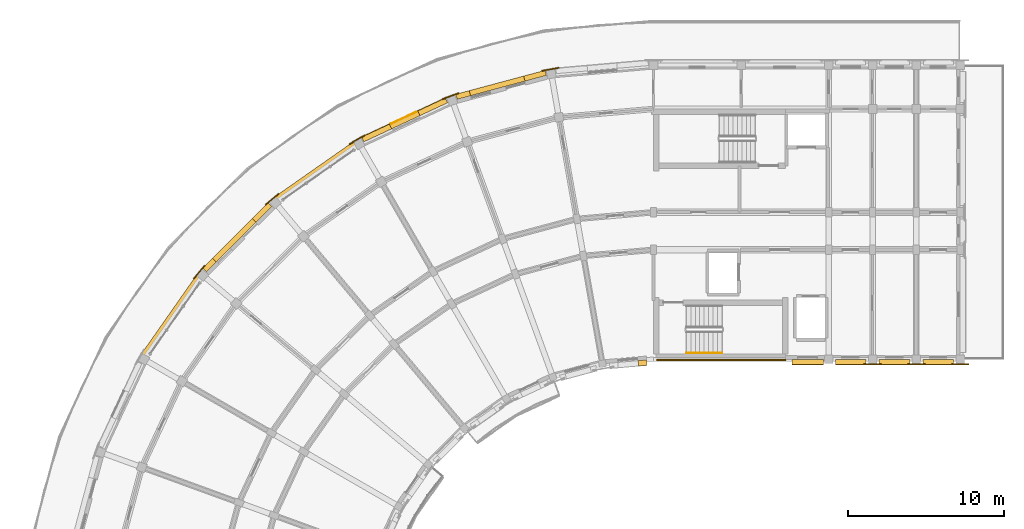
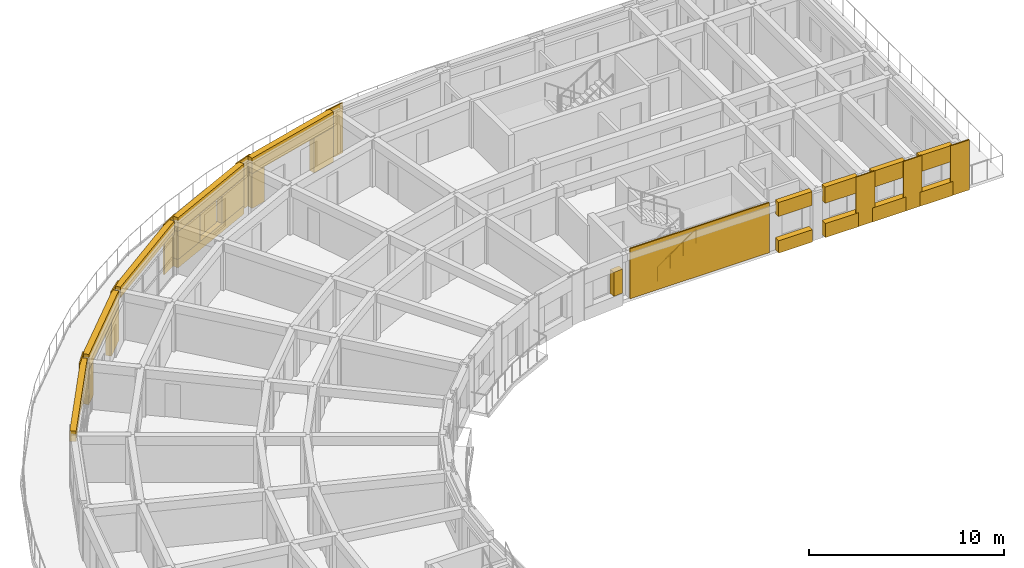
# One storey, part 15 of 16: 30 coverings, 1 railing, 1 shading device.
"""IFC4 building model written with IfcOpenShell, lengths in metres."""

from ifc_helpers import new_model, si_unit, direction, frame, origin, origin_2d, place, context, subcontext, project, spatial, polyline, rectangle, circle, outline, extrude, material, layer, layer_set, type_object, element, save


model = new_model("IFC4")

# Units and contexts
model_context = context("Model", 3, precision=1e-05, world=origin(), true_north=direction((0.0, 1.0)))
body_context = subcontext(model_context, "Body", "Model", "MODEL_VIEW")
ifc_project = project(units=[si_unit("LENGTHUNIT", "METRE"), si_unit("AREAUNIT", "SQUARE_METRE"), si_unit("VOLUMEUNIT", "CUBIC_METRE"), si_unit("PLANEANGLEUNIT", "RADIAN"), si_unit("MASSUNIT", "GRAM", prefix="KILO")], contexts=[model_context])

# Site, building, storey
site_placement = place(None, origin())
site = spatial("IfcSite", under=ifc_project, at=site_placement, CompositionType="ELEMENT")
building_placement = place(site_placement, origin())
building = spatial("IfcBuilding", under=site, at=building_placement, Name="Kiranvali Square Residences", CompositionType="ELEMENT")
storey_placement = place(building_placement, frame((0.0, 0.0, 46.5)))
storey = spatial("IfcBuildingStorey", under=building, at=storey_placement, Name="L14", CompositionType="ELEMENT", Elevation=46.5)

# Coverings
ifc_material_1 = material(Name="Honed Porbandar limestone ashlar facade cladding", Category="masonry")
ifc_layer_1 = layer(ifc_material_1, 0.3798828125)
ifc_layer_set_1 = layer_set([ifc_layer_1], Name="Honed Porbandar limestone ashlar facade cladding")
covering_type_1 = type_object("IfcCoveringType", Name="COV-CLAD-JAMB", PredefinedType="CLADDING", material=ifc_layer_set_1)
covering_1_placement = place(storey_placement, origin())
element("IfcCovering", 1, at=covering_1_placement, inside=storey, type_object=covering_type_1, Name="L14 deep limestone window jamb reveal A-L14-CRV-01.L", PredefinedType="CLADDING", context=body_context, shape_type="SweptSolid", body=[
    extrude(outline(polyline([(41.270263671875, 125.068359375), (39.902099609375, 124.70166015625), (39.988525390625, 124.37841796875), (41.356689453125, 124.7451171875), (41.270263671875, 125.068359375)])), origin(), (0.0, 0.0, 1.0), 2.179931640625),
])
covering_2_placement = place(storey_placement, origin())
element("IfcCovering", 2, at=covering_2_placement, inside=storey, type_object=covering_type_1, Name="L14 deep limestone window jamb reveal A-L14-CRV-01.R", PredefinedType="CLADDING", context=body_context, shape_type="SweptSolid", body=[
    extrude(outline(polyline([(36.422119140625, 123.769287109375), (35.567138671875, 123.5400390625), (35.65380859375, 123.217041015625), (36.5087890625, 123.446044921875), (36.422119140625, 123.769287109375)])), origin(), (0.0, 0.0, 1.0), 2.179931640625),
])
covering_3_placement = place(storey_placement, frame((0.0, 0.0, 0.530029296875)))
element("IfcCovering", 3, at=covering_3_placement, inside=storey, type_object=covering_type_1, Name="L14 deep limestone window jamb reveal A-L14-CRV-02.L", PredefinedType="CLADDING", context=body_context, shape_type="SweptSolid", body=[
    extrude(outline(polyline([(34.90380859375, 123.298828125), (33.134765625, 122.4736328125), (33.276123046875, 122.170654296875), (35.045166015625, 122.99560546875), (34.90380859375, 123.298828125)])), origin(), (0.0, 0.0, 1.0), 1.75),
])
covering_4_placement = place(storey_placement, frame((0.0, 0.0, 0.530029296875)))
element("IfcCovering", 4, at=covering_4_placement, inside=storey, type_object=covering_type_1, Name="L14 deep limestone window jamb reveal A-L14-CRV-02.R", PredefinedType="CLADDING", context=body_context, shape_type="SweptSolid", body=[
    extrude(outline(polyline([(31.322021484375, 121.62841796875), (29.552978515625, 120.803466796875), (29.6943359375, 120.500244140625), (31.46337890625, 121.325439453125), (31.322021484375, 121.62841796875)])), origin(), (0.0, 0.0, 1.0), 1.75),
])
covering_5_placement = place(storey_placement, origin())
element("IfcCovering", 5, at=covering_5_placement, inside=storey, type_object=covering_type_1, Name="L14 deep limestone window jamb reveal A-L14-CRV-04.L", PredefinedType="CLADDING", context=body_context, shape_type="SweptSolid", body=[
    extrude(outline(polyline([(23.564453125, 116.6103515625), (22.56298828125, 115.60888671875), (22.799560546875, 115.372314453125), (23.801025390625, 116.373779296875), (23.564453125, 116.6103515625)])), origin(), (0.0, 0.0, 1.0), 2.179931640625),
])
covering_6_placement = place(storey_placement, origin())
element("IfcCovering", 6, at=covering_6_placement, inside=storey, type_object=covering_type_1, Name="L14 deep limestone window jamb reveal A-L14-CRV-04.R", PredefinedType="CLADDING", context=body_context, shape_type="SweptSolid", body=[
    extrude(outline(polyline([(20.015380859375, 113.061279296875), (19.3896484375, 112.435546875), (19.626220703125, 112.198974609375), (20.251953125, 112.82470703125), (20.015380859375, 113.061279296875)])), origin(), (0.0, 0.0, 1.0), 2.179931640625),
])
covering_7_placement = place(storey_placement, frame((0.0, 0.0, 0.77197265625)))
element("IfcCovering", 7, at=covering_7_placement, inside=storey, type_object=covering_type_1, Name="L14 deep limestone window jamb reveal A-L14-GDN-00.L", PredefinedType="CLADDING", context=body_context, shape_type="SweptSolid", body=[
    extrude(outline(polyline([(47.76171875, 106.56103515625), (47.21533203125, 106.513427734375), (47.244873046875, 106.175048828125), (47.791259765625, 106.222900390625), (47.76171875, 106.56103515625)])), origin(), (0.0, 0.0, 1.0), 1.5),
])
ifc_layer_2 = layer(ifc_material_1, 0.06494140625)
ifc_layer_set_2 = layer_set([ifc_layer_2], Name="Honed Porbandar limestone ashlar facade cladding")
covering_type_2 = type_object("IfcCoveringType", Name="COV-CLAD-PIER", PredefinedType="CLADDING", material=ifc_layer_set_2)
covering_8_placement = place(storey_placement, frame((0.0, 0.0, 0.0048828125)))
element("IfcCovering", 8, at=covering_8_placement, inside=storey, type_object=covering_type_2, Name="L14 Classical limestone corner pilaster CLAD-PR-A-L14-A01", PredefinedType="CLADDING", context=body_context, shape_type="SweptSolid", body=[
    extrude(outline(polyline([(42.157958984375, 125.262939453125), (41.064697265625, 125.070068359375), (41.076416015625, 125.003662109375), (42.169677734375, 125.196533203125), (42.157958984375, 125.262939453125)])), origin(), (0.0, 0.0, 1.0), 3.14013671875),
])
covering_9_placement = place(storey_placement, frame((0.0, 0.0, 0.0048828125)))
element("IfcCovering", 9, at=covering_9_placement, inside=storey, type_object=covering_type_2, Name="L14 Classical limestone corner pilaster CLAD-PR-A-L14-A02", PredefinedType="CLADDING", context=body_context, shape_type="SweptSolid", body=[
    extrude(outline(polyline([(35.744140625, 123.64453125), (34.701171875, 123.264892578125), (34.724365234375, 123.201416015625), (35.767333984375, 123.5810546875), (35.744140625, 123.64453125)])), origin(), (0.0, 0.0, 1.0), 3.14013671875),
])
covering_10_placement = place(storey_placement, frame((0.0, 0.0, 0.0048828125)))
element("IfcCovering", 10, at=covering_10_placement, inside=storey, type_object=covering_type_2, Name="L14 Classical limestone corner pilaster CLAD-PR-A-L14-A03", PredefinedType="CLADDING", context=body_context, shape_type="SweptSolid", body=[
    extrude(outline(polyline([(29.709228515625, 120.93701171875), (28.747802734375, 120.382080078125), (28.781494140625, 120.32373046875), (29.742919921875, 120.878662109375), (29.709228515625, 120.93701171875)])), origin(), (0.0, 0.0, 1.0), 3.14013671875),
])
covering_11_placement = place(storey_placement, frame((0.0, 0.0, 0.0048828125)))
element("IfcCovering", 11, at=covering_11_placement, inside=storey, type_object=covering_type_2, Name="L14 Classical limestone corner pilaster CLAD-PR-A-L14-A04", PredefinedType="CLADDING", context=body_context, shape_type="SweptSolid", body=[
    extrude(outline(polyline([(24.23583984375, 117.22265625), (23.385498046875, 116.50927734375), (23.428955078125, 116.45751953125), (24.279296875, 117.171142578125), (24.23583984375, 117.22265625)])), origin(), (0.0, 0.0, 1.0), 3.14013671875),
])
covering_12_placement = place(storey_placement, frame((0.0, 0.0, 0.0048828125)))
element("IfcCovering", 12, at=covering_12_placement, inside=storey, type_object=covering_type_2, Name="L14 Classical limestone corner pilaster CLAD-PR-A-L14-A05", PredefinedType="CLADDING", context=body_context, shape_type="SweptSolid", body=[
    extrude(outline(polyline([(19.49072265625, 112.614501953125), (18.77734375, 111.76416015625), (18.828857421875, 111.720703125), (19.54248046875, 112.571044921875), (19.49072265625, 112.614501953125)])), origin(), (0.0, 0.0, 1.0), 3.14013671875),
])
covering_13_placement = place(storey_placement, frame((0.0, 0.0, 0.0048828125)))
element("IfcCovering", 13, at=covering_13_placement, inside=storey, type_object=covering_type_2, Name="Block A L14 garden stair limestone ashlar cladding", PredefinedType="CLADDING", context=body_context, shape_type="SweptSolid", body=[
    extrude(outline(polyline([(48.39990234375, 106.52001953125), (56.64990234375, 106.52001953125), (56.64990234375, 106.597900390625), (48.39990234375, 106.597900390625), (48.39990234375, 106.52001953125)])), origin(), (0.0, 0.0, 1.0), 3.14013671875),
])
ifc_layer_3 = layer(ifc_material_1, 0.050048828125)
ifc_layer_set_3 = layer_set([ifc_layer_3], Name="Honed Porbandar limestone ashlar facade cladding")
covering_type_3 = type_object("IfcCoveringType", Name="COV-CLAD-PIER-IN", PredefinedType="CLADDING", material=ifc_layer_set_3)
covering_14_placement = place(storey_placement, frame((0.0, 0.0, 0.0048828125)))
element("IfcCovering", 14, at=covering_14_placement, inside=storey, type_object=covering_type_3, Name="L14 Classical limestone pilaster casing CLAD-PRA1I-A-L14-U140", PredefinedType="CLADDING", context=body_context, shape_type="SweptSolid", body=[
    extrude(outline(polyline([(61.64501953125, 106.257080078125), (62.7548828125, 106.257080078125), (62.7548828125, 106.324462890625), (61.64501953125, 106.324462890625), (61.64501953125, 106.257080078125)])), origin(), (0.0, 0.0, 1.0), 3.14013671875),
])
covering_15_placement = place(storey_placement, frame((0.0, 0.0, 0.0048828125)))
element("IfcCovering", 15, at=covering_15_placement, inside=storey, type_object=covering_type_3, Name="L14 Classical limestone pilaster casing CLAD-PRA1I-A-L14-U167", PredefinedType="CLADDING", context=body_context, shape_type="SweptSolid", body=[
    extrude(outline(polyline([(64.445068359375, 106.257080078125), (65.554931640625, 106.257080078125), (65.554931640625, 106.324462890625), (64.445068359375, 106.324462890625), (64.445068359375, 106.257080078125)])), origin(), (0.0, 0.0, 1.0), 3.14013671875),
])
covering_16_placement = place(storey_placement, frame((0.0, 0.0, 0.0048828125)))
element("IfcCovering", 16, at=covering_16_placement, inside=storey, type_object=covering_type_3, Name="L14 Classical limestone pilaster casing CLAD-PRA1I-A-L14-U195", PredefinedType="CLADDING", context=body_context, shape_type="SweptSolid", body=[
    extrude(outline(polyline([(67.2451171875, 106.257080078125), (68.35498046875, 106.257080078125), (68.35498046875, 106.324462890625), (67.2451171875, 106.324462890625), (67.2451171875, 106.257080078125)])), origin(), (0.0, 0.0, 1.0), 3.14013671875),
])
ifc_layer_4 = layer(ifc_material_1, 0.360107421875)
ifc_layer_set_4 = layer_set([ifc_layer_4], Name="Honed Porbandar limestone ashlar facade cladding")
covering_type_4 = type_object("IfcCoveringType", Name="COV-CLAD-WALL", PredefinedType="CLADDING", material=ifc_layer_set_4)
covering_17_placement = place(storey_placement, frame((0.0, 0.0, 2.179931640625)))
element("IfcCovering", 17, at=covering_17_placement, inside=storey, type_object=covering_type_4, Name="L14 light limestone spandrel lintel A-L14-CRV-01", PredefinedType="CLADDING", context=body_context, shape_type="SweptSolid", body=[
    extrude(outline(polyline([(41.270263671875, 125.068359375), (35.567138671875, 123.5400390625), (35.65380859375, 123.217041015625), (41.356689453125, 124.7451171875), (41.270263671875, 125.068359375)])), origin(), (0.0, 0.0, 1.0), 0.965087890625),
])
covering_18_placement = place(storey_placement, frame((0.0, 0.0, 2.280029296875)))
element("IfcCovering", 18, at=covering_18_placement, inside=storey, type_object=covering_type_4, Name="L14 light limestone spandrel lintel A-L14-CRV-02", PredefinedType="CLADDING", context=body_context, shape_type="SweptSolid", body=[
    extrude(outline(polyline([(34.90380859375, 123.298828125), (29.552978515625, 120.803466796875), (29.6943359375, 120.500244140625), (35.045166015625, 122.99560546875), (34.90380859375, 123.298828125)])), origin(), (0.0, 0.0, 1.0), 0.864990234375),
])
covering_19_placement = place(storey_placement, frame((0.0, 0.0, 2.47998046875)))
element("IfcCovering", 19, at=covering_19_placement, inside=storey, type_object=covering_type_4, Name="Block A L14 limestone terrace header 4", PredefinedType="CLADDING", context=body_context, shape_type="SweptSolid", body=[
    extrude(outline(polyline([(29.207763671875, 120.636962890625), (23.839111328125, 116.877685546875), (24.030029296875, 116.60498046875), (29.39892578125, 120.3642578125), (29.207763671875, 120.636962890625)])), origin(), (0.0, 0.0, 1.0), 0.6650390625),
])
covering_20_placement = place(storey_placement, frame((0.0, 0.0, 2.179931640625)))
element("IfcCovering", 20, at=covering_20_placement, inside=storey, type_object=covering_type_4, Name="L14 light limestone spandrel lintel A-L14-CRV-04", PredefinedType="CLADDING", context=body_context, shape_type="SweptSolid", body=[
    extrude(outline(polyline([(23.564453125, 116.6103515625), (19.3896484375, 112.435546875), (19.626220703125, 112.198974609375), (23.801025390625, 116.373779296875), (23.564453125, 116.6103515625)])), origin(), (0.0, 0.0, 1.0), 0.965087890625),
])
covering_21_placement = place(storey_placement, frame((0.0, 0.0, 2.47998046875)))
element("IfcCovering", 21, at=covering_21_placement, inside=storey, type_object=covering_type_4, Name="Block A L14 limestone terrace header 6", PredefinedType="CLADDING", context=body_context, shape_type="SweptSolid", body=[
    extrude(outline(polyline([(19.122314453125, 112.160888671875), (15.363037109375, 106.792236328125), (15.6357421875, 106.60107421875), (19.39501953125, 111.969970703125), (19.122314453125, 112.160888671875)])), origin(), (0.0, 0.0, 1.0), 0.6650390625),
])
covering_22_placement = place(storey_placement, frame((0.0, 0.0, 2.27197265625)))
element("IfcCovering", 22, at=covering_22_placement, inside=storey, type_object=covering_type_4, Name="L14 light limestone spandrel lintel A-L14-A1IN-0", PredefinedType="CLADDING", context=body_context, shape_type="SweptSolid", body=[
    extrude(outline(polyline([(57.050048828125, 106.280029296875), (59.050048828125, 106.280029296875), (59.050048828125, 106.599609375), (57.050048828125, 106.599609375), (57.050048828125, 106.280029296875)])), origin(), (0.0, 0.0, 1.0), 0.873046875),
])
covering_23_placement = place(storey_placement, frame((0.0, 0.0, 2.1298828125)))
element("IfcCovering", 23, at=covering_23_placement, inside=storey, type_object=covering_type_4, Name="L14 light limestone spandrel lintel A-L14-A1I-0", PredefinedType="CLADDING", context=body_context, shape_type="SweptSolid", body=[
    extrude(outline(polyline([(59.820068359375, 106.280029296875), (61.780029296875, 106.280029296875), (61.780029296875, 106.599609375), (59.820068359375, 106.599609375), (59.820068359375, 106.280029296875)])), origin(), (0.0, 0.0, 1.0), 1.01513671875),
])
covering_24_placement = place(storey_placement, frame((0.0, 0.0, 2.1298828125)))
element("IfcCovering", 24, at=covering_24_placement, inside=storey, type_object=covering_type_4, Name="L14 light limestone spandrel lintel A-L14-A1I-1", PredefinedType="CLADDING", context=body_context, shape_type="SweptSolid", body=[
    extrude(outline(polyline([(62.6201171875, 106.280029296875), (64.580078125, 106.280029296875), (64.580078125, 106.599609375), (62.6201171875, 106.599609375), (62.6201171875, 106.280029296875)])), origin(), (0.0, 0.0, 1.0), 1.01513671875),
])
covering_25_placement = place(storey_placement, frame((0.0, 0.0, 2.1298828125)))
element("IfcCovering", 25, at=covering_25_placement, inside=storey, type_object=covering_type_4, Name="L14 light limestone spandrel lintel A-L14-A1I-2", PredefinedType="CLADDING", context=body_context, shape_type="SweptSolid", body=[
    extrude(outline(polyline([(65.419921875, 106.280029296875), (67.3798828125, 106.280029296875), (67.3798828125, 106.599609375), (65.419921875, 106.599609375), (65.419921875, 106.280029296875)])), origin(), (0.0, 0.0, 1.0), 1.01513671875),
])
ifc_layer_5 = layer(ifc_material_1, 0.320068359375)
ifc_layer_set_5 = layer_set([ifc_layer_5], Name="Honed Porbandar limestone ashlar facade cladding")
covering_type_5 = type_object("IfcCoveringType", Name="COV-CLAD-WALL-UP", PredefinedType="CLADDING", material=ifc_layer_set_5)
covering_26_placement = place(storey_placement, frame((0.0, 0.0, 0.0048828125)))
element("IfcCovering", 26, at=covering_26_placement, inside=storey, type_object=covering_type_5, Name="L14 limestone window sill apron A-L14-CRV-02", PredefinedType="CLADDING", context=body_context, shape_type="SweptSolid", body=[
    extrude(outline(polyline([(34.891357421875, 123.325927734375), (29.540283203125, 120.830810546875), (29.6943359375, 120.500244140625), (35.045166015625, 122.99560546875), (34.891357421875, 123.325927734375)])), origin(), (0.0, 0.0, 1.0), 0.525146484375),
])
covering_27_placement = place(storey_placement, frame((0.0, 0.0, 0.0048828125)))
element("IfcCovering", 27, at=covering_27_placement, inside=storey, type_object=covering_type_5, Name="L14 limestone window sill apron A-L14-A1IN-0", PredefinedType="CLADDING", context=body_context, shape_type="SweptSolid", body=[
    extrude(outline(polyline([(57.050048828125, 106.25), (59.050048828125, 106.25), (59.050048828125, 106.599609375), (57.050048828125, 106.599609375), (57.050048828125, 106.25)])), origin(), (0.0, 0.0, 1.0), 0.76708984375),
])
covering_28_placement = place(storey_placement, frame((0.0, 0.0, 0.0048828125)))
element("IfcCovering", 28, at=covering_28_placement, inside=storey, type_object=covering_type_5, Name="L14 limestone window sill apron A-L14-A1I-0", PredefinedType="CLADDING", context=body_context, shape_type="SweptSolid", body=[
    extrude(outline(polyline([(59.820068359375, 106.25), (61.780029296875, 106.25), (61.780029296875, 106.599609375), (59.820068359375, 106.599609375), (59.820068359375, 106.25)])), origin(), (0.0, 0.0, 1.0), 0.875),
])
covering_29_placement = place(storey_placement, frame((0.0, 0.0, 0.0048828125)))
element("IfcCovering", 29, at=covering_29_placement, inside=storey, type_object=covering_type_5, Name="L14 limestone window sill apron A-L14-A1I-1", PredefinedType="CLADDING", context=body_context, shape_type="SweptSolid", body=[
    extrude(outline(polyline([(62.6201171875, 106.25), (64.580078125, 106.25), (64.580078125, 106.599609375), (62.6201171875, 106.599609375), (62.6201171875, 106.25)])), origin(), (0.0, 0.0, 1.0), 0.875),
])
covering_30_placement = place(storey_placement, frame((0.0, 0.0, 0.0048828125)))
element("IfcCovering", 30, at=covering_30_placement, inside=storey, type_object=covering_type_5, Name="L14 limestone window sill apron A-L14-A1I-2", PredefinedType="CLADDING", context=body_context, shape_type="SweptSolid", body=[
    extrude(outline(polyline([(65.419921875, 106.25), (67.3798828125, 106.25), (67.3798828125, 106.599609375), (65.419921875, 106.599609375), (65.419921875, 106.25)])), origin(), (0.0, 0.0, 1.0), 0.875),
])

# Railing
ifc_material_2 = material(Name="Brushed stainless steel tubular handrail", Category="steel")
railing_type = type_object("IfcRailingType", Name="RL-HANDRAIL-900", PredefinedType="HANDRAIL", material=ifc_material_2)
railing_placement = place(storey_placement, frame((50.300048828125, 107.0, 0.175048828125)))
element("IfcRailing", 31, at=railing_placement, inside=storey, type_object=railing_type, Name="L14 ST-A2 stair handrail 1", PredefinedType="HANDRAIL", context=body_context, shape_type="SweptSolid", body=[
    extrude(circle(Radius=0.02392578125, at=origin_2d()), frame((0.0, 0.0, 0.8759765625), z_axis=(0.82278801735, 0.0, 0.568348377763), x_axis=(0.0, 1.0, 0.0)), (0.0, 0.0, 1.0), 2.77099609375),
    extrude(circle(Radius=0.02099609375, at=origin_2d()), origin(), (0.0, 0.0, 1.0), 0.851806640625),
    extrude(circle(Radius=0.02099609375, at=origin_2d()), frame((0.760009765625, 0.0, 0.52490234375)), (0.0, 0.0, 1.0), 0.851806640625),
    extrude(circle(Radius=0.02099609375, at=origin_2d()), frame((1.52001953125, 0.0, 1.050048828125)), (0.0, 0.0, 1.0), 0.851806640625),
    extrude(circle(Radius=0.02099609375, at=origin_2d()), frame((2.280029296875, 0.0, 1.574951171875)), (0.0, 0.0, 1.0), 0.851806640625),
])

# Shading device
ifc_material_3 = material(Name="Pierced buff sandstone architectural mashrabiya solar screen", Category="masonry")
shading_device_type = type_object("IfcShadingDeviceType", Name="SHD-JALI-1800", PredefinedType="JALOUSIE", material=ifc_material_3)
shading_device_placement = place(storey_placement, frame((32.23681640625, 122.032958984375, 0.530029296875), z_axis=(0.0, 0.0, 1.0), x_axis=(-0.906307787037, -0.422618261741, 0.0)))
element("IfcShadingDevice", 32, at=shading_device_placement, inside=storey, type_object=shading_device_type, Name="L14 carved stone Mashrabiya screen A-L14-CRV-02", PredefinedType="JALOUSIE", context=body_context, shape_type="SweptSolid", body=[
    extrude(rectangle(XDim=1.800048828125, YDim=0.044921875, at=origin_2d()), origin(), (0.0, 0.0, 1.0), 1.75),
])

save(model, "model.ifc")
